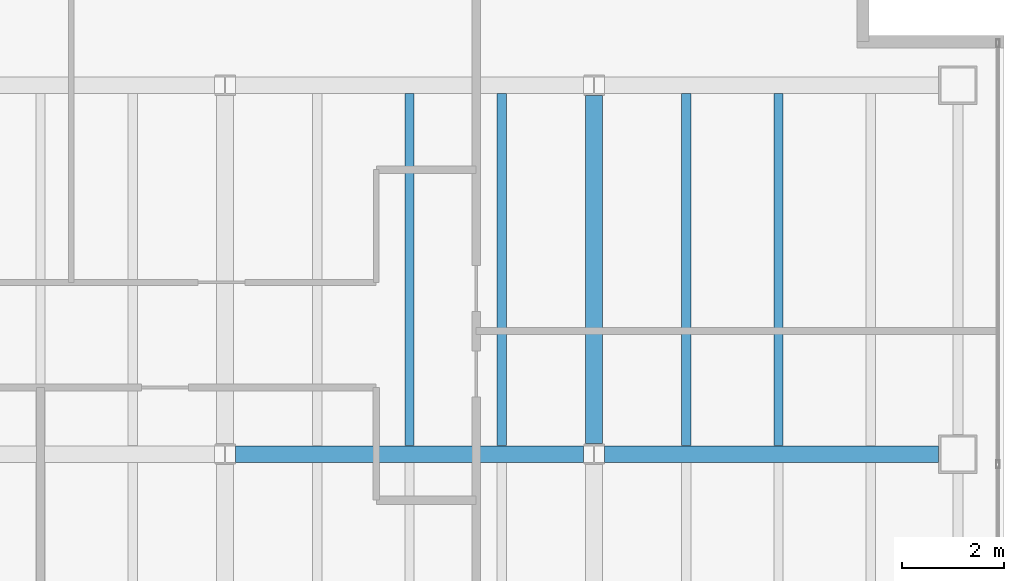
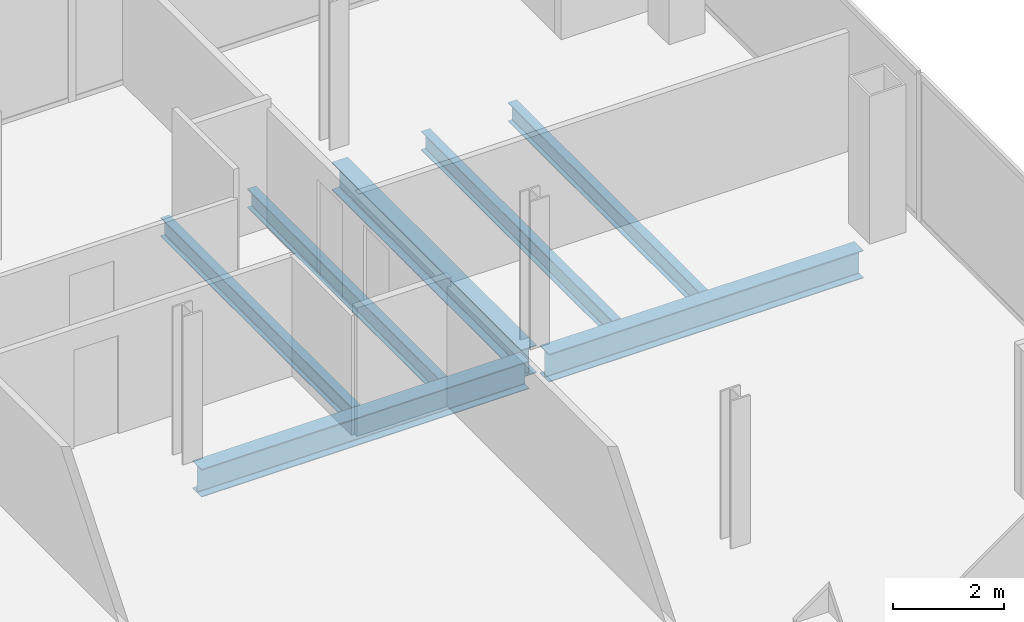
# One storey, part 13 of 23: 7 beams.
"""IFC4 building model written with IfcOpenShell, lengths in metres."""

from ifc_helpers import new_model, si_unit, direction, frame, origin, origin_2d, place, context, subcontext, project, spatial, i_section, extrude, material, material_profile, profile_set, type_object, element, save


model = new_model("IFC4")

# Units and contexts
model_context = context("Model", 3, precision=1e-05, world=origin(), true_north=direction((0.0, 1.0)))
body_context = subcontext(model_context, "Body", "Model", "MODEL_VIEW")
ifc_project = project(units=[si_unit("LENGTHUNIT", "METRE"), si_unit("AREAUNIT", "SQUARE_METRE"), si_unit("VOLUMEUNIT", "CUBIC_METRE"), si_unit("PLANEANGLEUNIT", "RADIAN"), si_unit("MASSUNIT", "GRAM", prefix="KILO")], contexts=[model_context])

# Site, building, storey
site_placement = place(None, origin())
site = spatial("IfcSite", under=ifc_project, at=site_placement, CompositionType="ELEMENT")
building_placement = place(site_placement, origin())
building = spatial("IfcBuilding", under=site, at=building_placement, Name="Cobrela Telecom Tower", CompositionType="ELEMENT")
storey_placement = place(building_placement, frame((0.0, 0.0, 215.25)))
storey = spatial("IfcBuildingStorey", under=building, at=storey_placement, Name="L55", CompositionType="ELEMENT", Elevation=215.25)

# Beams
ifc_material = material(Name="Steel ASTM A992 Grade 50", Category="steel")
ifc_material_profile_1 = material_profile(ifc_material, i_section(OverallWidth=0.324951171875, OverallDepth=0.612060546875, WebThickness=0.0126953125, FlangeThickness=0.01904296875, FilletRadius=0.014892578125, at=origin_2d()), Name="W24X104")
ifc_profile_set_1 = profile_set([ifc_material_profile_1], Name="Steel ASTM A992 Grade 50")
beam_type_1 = type_object("IfcBeamType", Name="BM-GIRD-07", PredefinedType="USERDEFINED", material=ifc_profile_set_1)
beam_1_placement = place(storey_placement, frame((29.00439453125, 14.39990234375, -0.56591796875), z_axis=(1.0, 0.0, 0.0), x_axis=(0.0, 1.0, 0.0)))
element("IfcBeam", 1, at=beam_1_placement, inside=storey, type_object=beam_type_1, Name="L55 Primary Girder X13", ObjectType="GIRDER", PredefinedType="USERDEFINED", context=body_context, shape_type="SweptSolid", body=[
    extrude(i_section(OverallWidth=0.324951171875, OverallDepth=0.612060546875, WebThickness=0.0126953125, FlangeThickness=0.01904296875, FilletRadius=0.014892578125, at=origin_2d()), origin(), (0.0, 0.0, 1.0), 6.791015625),
])
beam_2_placement = place(storey_placement, frame((36.20458984375, 14.39990234375, -0.56591796875), z_axis=(1.0, 0.0, 0.0), x_axis=(0.0, 1.0, 0.0)))
element("IfcBeam", 2, at=beam_2_placement, inside=storey, type_object=beam_type_1, Name="L55 Primary Girder X14", ObjectType="GIRDER", PredefinedType="USERDEFINED", context=body_context, shape_type="SweptSolid", body=[
    extrude(i_section(OverallWidth=0.324951171875, OverallDepth=0.612060546875, WebThickness=0.0126953125, FlangeThickness=0.01904296875, FilletRadius=0.014892578125, at=origin_2d()), origin(), (0.0, 0.0, 1.0), 6.515380859375),
])
beam_3_placement = place(storey_placement, frame((36.0, 14.6044921875, -0.56591796875), z_axis=(0.0, 1.0, 0.0), x_axis=(-1.0, 0.0, 0.0)))
element("IfcBeam", 3, at=beam_3_placement, inside=storey, type_object=beam_type_1, Name="L55 Primary Girder Y41", ObjectType="GIRDER", PredefinedType="USERDEFINED", context=body_context, shape_type="SweptSolid", body=[
    extrude(i_section(OverallWidth=0.324951171875, OverallDepth=0.612060546875, WebThickness=0.0126953125, FlangeThickness=0.01904296875, FilletRadius=0.014892578125, at=origin_2d()), origin(), (0.0, 0.0, 1.0), 6.791015625),
])
ifc_material_profile_2 = material_profile(ifc_material, i_section(OverallWidth=0.179931640625, OverallDepth=0.4169921875, WebThickness=0.010986328125, FlangeThickness=0.01806640625, FilletRadius=0.011962890625, at=origin_2d()), Name="W16X57")
ifc_profile_set_2 = profile_set([ifc_material_profile_2], Name="Steel ASTM A992 Grade 50")
beam_type_2 = type_object("IfcBeamType", Name="BM-JOIST-04", PredefinedType="JOIST", material=ifc_profile_set_2)
for number, where, z_axis, x_axis, name in (
    (4, (32.39990234375, 14.5673828125, -0.468505859375), (0.0, 1.0, 0.0), (-1.0, 0.0, 0.0), "L55 Secondary Composite Floor Beam J22"),
    (5, (34.199951171875, 14.5673828125, -0.468505859375), (0.0, 1.0, 0.0), (-1.0, 0.0, 0.0), "L55 Secondary Composite Floor Beam J24"),
    (6, (37.800048828125, 14.5673828125, -0.468505859375), (0.0, 1.0, 0.0), (-1.0, 0.0, 0.0), "L55 Secondary Composite Floor Beam J26"),
    (7, (39.60009765625, 14.5673828125, -0.468505859375), (0.0, 1.0, 0.0), (-1.0, 0.0, 0.0), "L55 Secondary Composite Floor Beam J28"),
):
    element("IfcBeam", number, at=place(storey_placement, frame(where, z_axis=z_axis, x_axis=x_axis)), inside=storey, type_object=beam_type_2, Name=name, PredefinedType="JOIST", context=body_context, shape_type="SweptSolid", body=[
        extrude(i_section(OverallWidth=0.179931640625, OverallDepth=0.4169921875, WebThickness=0.010986328125, FlangeThickness=0.01806640625, FilletRadius=0.011962890625, at=origin_2d()), origin(), (0.0, 0.0, 1.0), 6.865234375),
    ])

save(model, "model.ifc")
